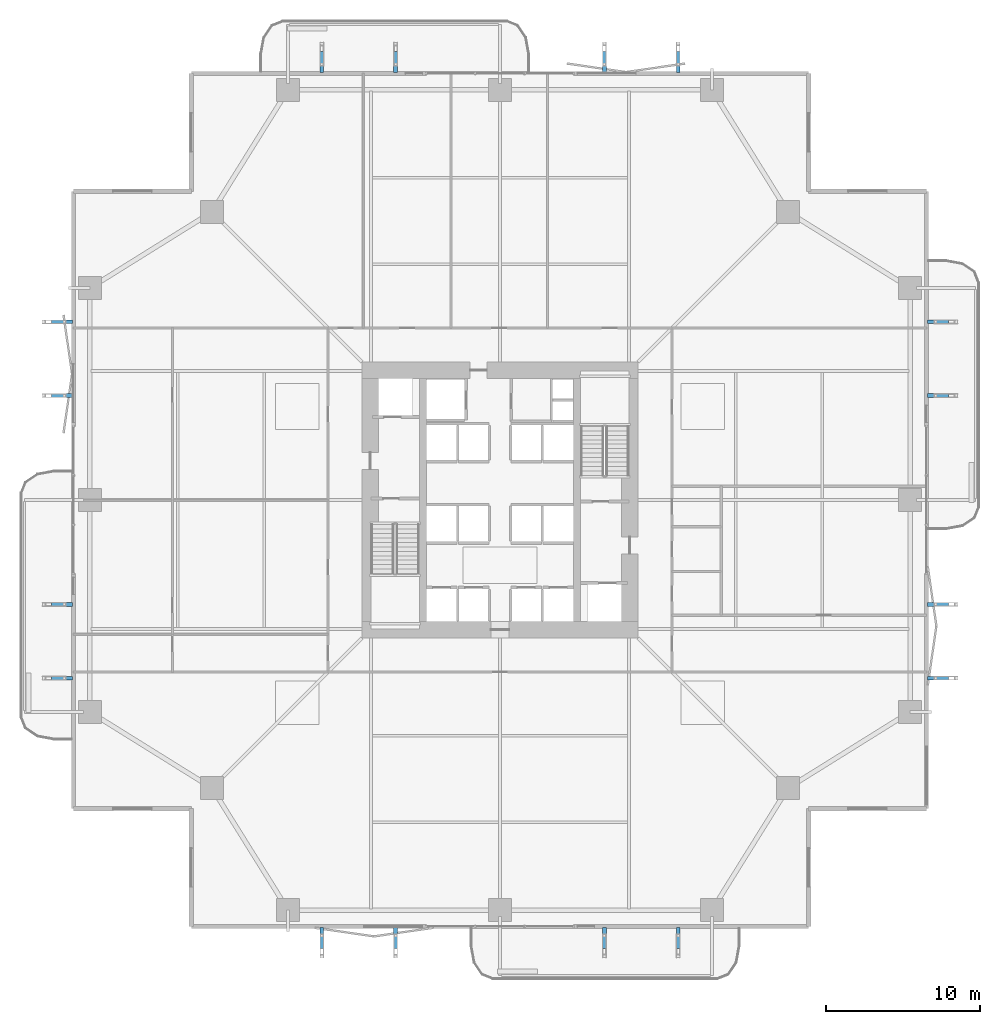
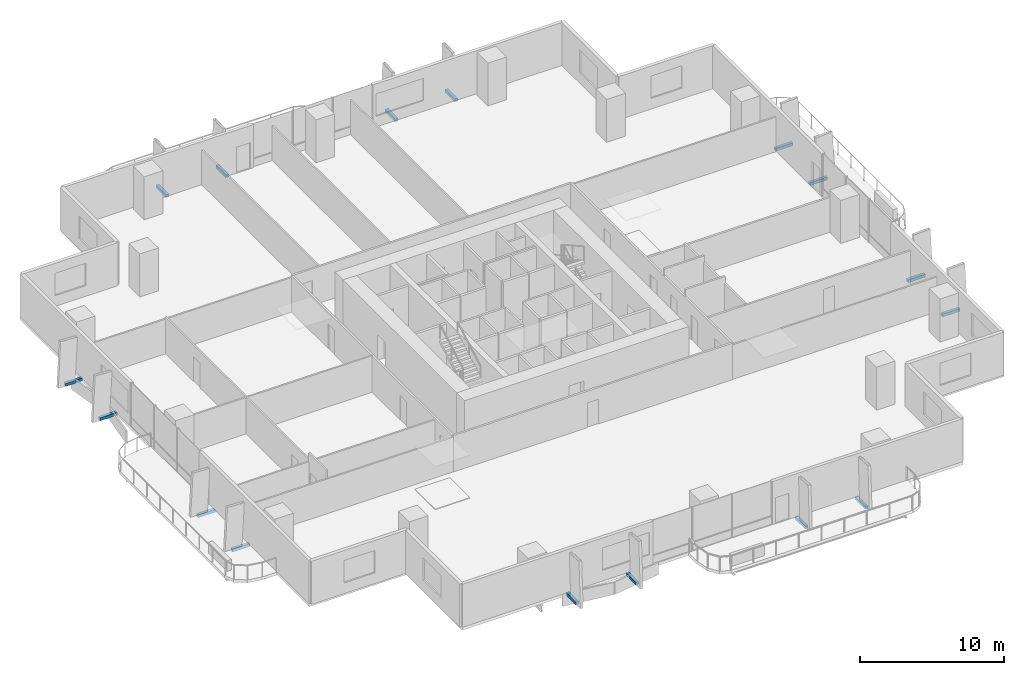
# One storey, part 20 of 24: 16 discrete accessories.
"""IFC4 building model written with IfcOpenShell, lengths in metres."""

from ifc_helpers import new_model, si_unit, direction, frame, origin, origin_2d, place, context, subcontext, project, spatial, rectangle, extrude, material, layer, layer_set, type_object, element, save


model = new_model("IFC4")

# Units and contexts
model_context = context("Model", 3, precision=1e-05, world=origin(), true_north=direction((0.0, 1.0)))
body_context = subcontext(model_context, "Body", "Model", "MODEL_VIEW")
ifc_project = project(units=[si_unit("LENGTHUNIT", "METRE"), si_unit("AREAUNIT", "SQUARE_METRE"), si_unit("VOLUMEUNIT", "CUBIC_METRE"), si_unit("PLANEANGLEUNIT", "RADIAN"), si_unit("MASSUNIT", "GRAM", prefix="KILO")], contexts=[model_context])

# Site, building, storey
site_placement = place(None, origin())
site = spatial("IfcSite", under=ifc_project, at=site_placement, CompositionType="ELEMENT")
building_placement = place(site_placement, origin())
building = spatial("IfcBuilding", under=site, at=building_placement, Name="Belovzor Exchange Tower", CompositionType="ELEMENT")
storey_placement = place(building_placement, frame((0.0, 0.0, 72.89990234375)))
storey = spatial("IfcBuildingStorey", under=building, at=storey_placement, Name="L17", CompositionType="ELEMENT", Elevation=72.89990234375)

# Discrete accessories
ifc_material = material(Name="Stainless Steel Grade 316", Category="steel")
ifc_layer = layer(ifc_material, 0.179931640625)
ifc_layer_set = layer_set([ifc_layer], Name="Stainless Steel Grade 316")
discrete_accessory_type = type_object("IfcDiscreteAccessoryType", Name="Stainless Steel Facade Outrigger Fixing Bracket", PredefinedType="BRACKET", material=ifc_layer_set)
for number, where, z_axis, x_axis, name in (
    (1, (17.199951171875, 0.285888671875, -0.2451171875), (0.0, 0.0, 1.0), (0.0, 1.0, 0.0), "BRK-FIN1 Sweeping Fin Outrigger Bracket L17 S1"),
    (2, (17.199951171875, 57.31298828125, -0.2451171875), (0.0, 0.0, 1.0), (0.0, 1.0, 0.0), "BRK-FIN1 Sweeping Fin Outrigger Bracket L17 N1"),
    (3, (0.285888671875, 17.199951171875, -0.2451171875), (0.0, 0.0, 1.0), (1.0, 0.0, 0.0), "BRK-FIN1 Sweeping Fin Outrigger Bracket L17 W1"),
    (4, (57.31298828125, 17.199951171875, -0.2451171875), (0.0, 0.0, 1.0), (1.0, 0.0, 0.0), "BRK-FIN1 Sweeping Fin Outrigger Bracket L17 E1"),
    (5, (22.0, 0.285888671875, -0.2451171875), (0.0, 0.0, 1.0), (0.0, 1.0, 0.0), "BRK-FIN1 Sweeping Fin Outrigger Bracket L17 S2"),
    (6, (22.0, 57.31298828125, -0.2451171875), (0.0, 0.0, 1.0), (0.0, 1.0, 0.0), "BRK-FIN1 Sweeping Fin Outrigger Bracket L17 N2"),
    (7, (0.285888671875, 22.0, -0.2451171875), (0.0, 0.0, 1.0), (1.0, 0.0, 0.0), "BRK-FIN1 Sweeping Fin Outrigger Bracket L17 W2"),
    (8, (57.31298828125, 22.0, -0.2451171875), (0.0, 0.0, 1.0), (1.0, 0.0, 0.0), "BRK-FIN1 Sweeping Fin Outrigger Bracket L17 E2"),
    (9, (35.60009765625, 0.285888671875, -0.2451171875), (0.0, 0.0, 1.0), (0.0, 1.0, 0.0), "BRK-FIN1 Sweeping Fin Outrigger Bracket L17 S3"),
    (10, (35.60009765625, 57.31298828125, -0.2451171875), (0.0, 0.0, 1.0), (0.0, 1.0, 0.0), "BRK-FIN1 Sweeping Fin Outrigger Bracket L17 N3"),
    (11, (0.285888671875, 35.60009765625, -0.2451171875), (0.0, 0.0, 1.0), (1.0, 0.0, 0.0), "BRK-FIN1 Sweeping Fin Outrigger Bracket L17 W3"),
    (12, (57.31298828125, 35.60009765625, -0.2451171875), (0.0, 0.0, 1.0), (1.0, 0.0, 0.0), "BRK-FIN1 Sweeping Fin Outrigger Bracket L17 E3"),
    (13, (40.39990234375, 0.285888671875, -0.2451171875), (0.0, 0.0, 1.0), (0.0, 1.0, 0.0), "BRK-FIN1 Sweeping Fin Outrigger Bracket L17 S4"),
    (14, (40.39990234375, 57.31298828125, -0.2451171875), (0.0, 0.0, 1.0), (0.0, 1.0, 0.0), "BRK-FIN1 Sweeping Fin Outrigger Bracket L17 N4"),
    (15, (0.285888671875, 40.39990234375, -0.2451171875), (0.0, 0.0, 1.0), (1.0, 0.0, 0.0), "BRK-FIN1 Sweeping Fin Outrigger Bracket L17 W4"),
    (16, (57.31298828125, 40.39990234375, -0.2451171875), (0.0, 0.0, 1.0), (1.0, 0.0, 0.0), "BRK-FIN1 Sweeping Fin Outrigger Bracket L17 E4"),
):
    element("IfcDiscreteAccessory", number, at=place(storey_placement, frame(where, z_axis=z_axis, x_axis=x_axis)), inside=storey, type_object=discrete_accessory_type, Name=name, PredefinedType="BRACKET", context=body_context, shape_type="SweptSolid", body=[
        extrude(rectangle(XDim=1.386962890625, YDim=0.239990234375, at=origin_2d()), origin(), (0.0, 0.0, 1.0), 0.239990234375),
    ])

save(model, "model.ifc")
